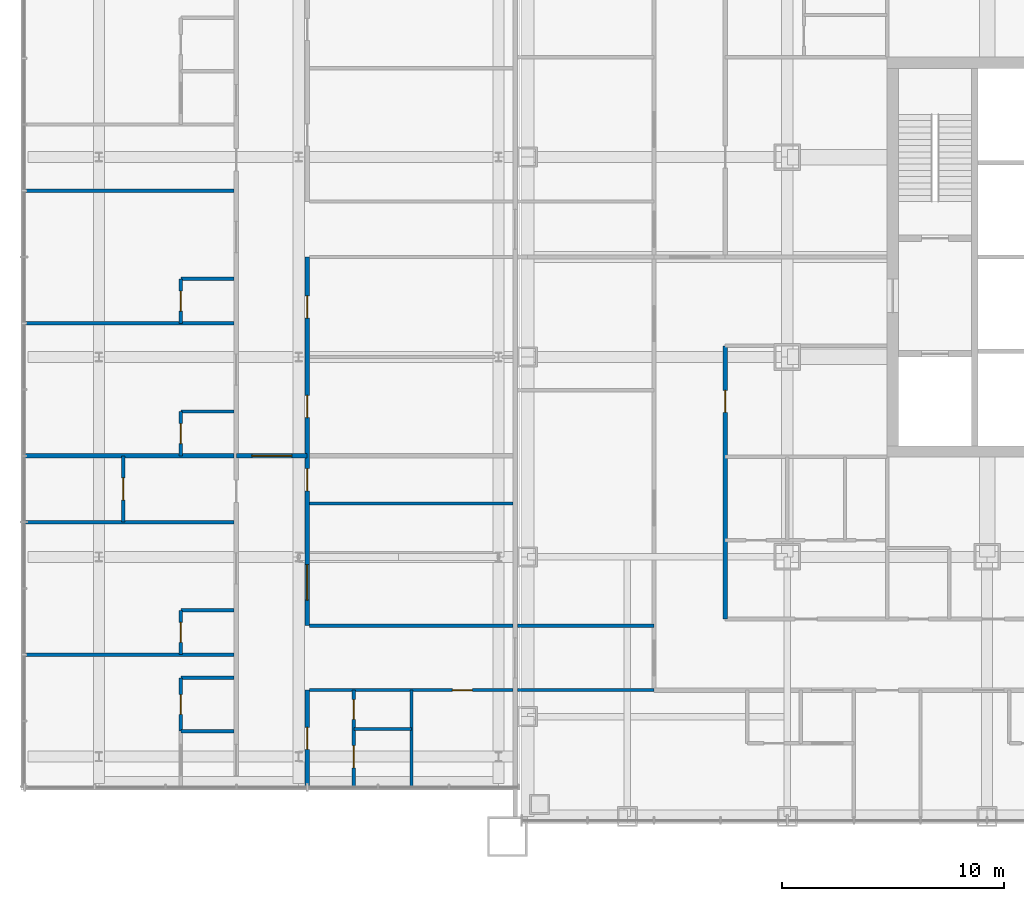
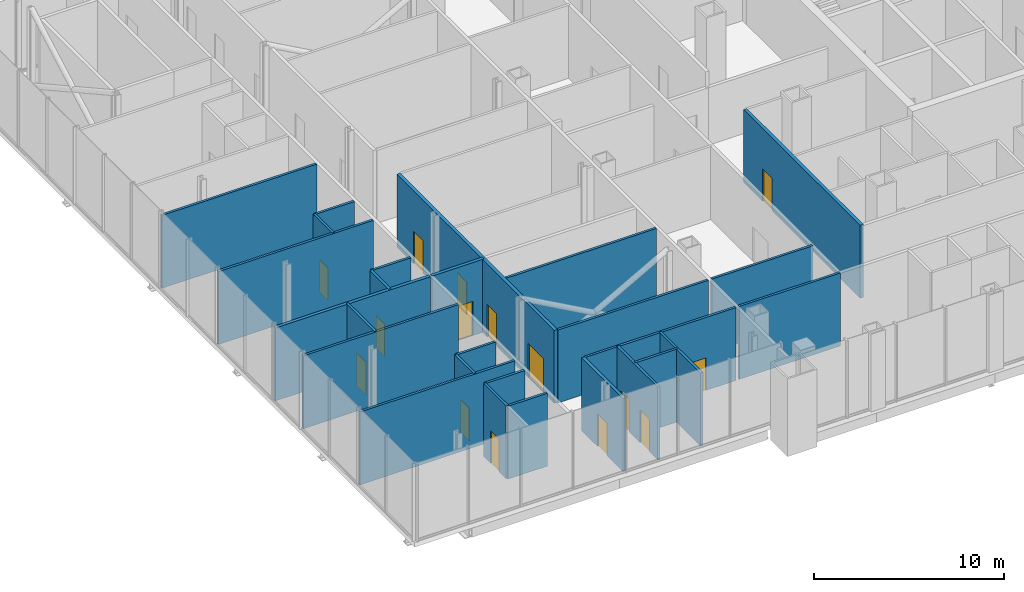
# One storey, part 15 of 28: 27 walls, 15 doors, 15 openings.
"""IFC4 building model written with IfcOpenShell, lengths in metres."""

from ifc_helpers import new_model, si_unit, direction, frame, frame_2d, origin, place, context, subcontext, project, spatial, rectangle, extrude, material, layer, layer_set, type_object, element, fill, save


model = new_model("IFC4")

# Units and contexts
model_context = context("Model", 3, precision=1e-05, world=origin(), true_north=direction((0.0, 1.0)))
body_context = subcontext(model_context, "Body", "Model", "MODEL_VIEW")
ifc_project = project(units=[si_unit("LENGTHUNIT", "METRE"), si_unit("AREAUNIT", "SQUARE_METRE"), si_unit("VOLUMEUNIT", "CUBIC_METRE"), si_unit("PLANEANGLEUNIT", "RADIAN"), si_unit("MASSUNIT", "GRAM", prefix="KILO")], contexts=[model_context])

# Site, building, storey
site_placement = place(None, origin())
site = spatial("IfcSite", under=ifc_project, at=site_placement, CompositionType="ELEMENT")
building_placement = place(site_placement, origin())
building = spatial("IfcBuilding", under=site, at=building_placement, Name="Malebo Sky Hospital", CompositionType="ELEMENT")
storey_placement = place(building_placement, frame((0.0, 0.0, 21.0)))
storey = spatial("IfcBuildingStorey", under=building, at=storey_placement, Name="L04", CompositionType="ELEMENT", Elevation=21.0)

# Wall, opening, door
ifc_material_1 = material(Name="Gypsum board on steel studs", Category="steel")
ifc_layer_1 = layer(ifc_material_1, 0.199951171875)
ifc_layer_set_1 = layer_set([ifc_layer_1], Name="CORRIDOR WALL 200")
wall_type_1 = type_object("IfcWallType", Name="CORRIDOR WALL 200", PredefinedType="PARTITIONING", material=ifc_layer_set_1)
wall_1_placement = place(storey_placement, frame((43.699951171875, 45.699951171875, 0.0), z_axis=(0.0, 0.0, 1.0), x_axis=(0.0, 1.0, 0.0)))
wall_1 = element("IfcWall", 1, at=wall_1_placement, inside=storey, type_object=wall_type_1, Name="Corridor Wall 200 WCI1", PredefinedType="PARTITIONING", context=body_context, shape_type="SweptSolid", body=[
    extrude(rectangle(XDim=12.300048828125, YDim=0.199951171875, at=frame_2d((6.14990234375, 0.0))), origin(), (0.0, 0.0, 1.0), 4.699951171875),
])
opening_1_placement = place(wall_1_placement, frame((9.300048828125, 0.0, 0.0)))
opening_1 = element("IfcOpeningElement", 2, at=opening_1_placement, cuts=wall_1, Name="Opening D03", PredefinedType="OPENING", context=body_context, shape_type="SweptSolid", body=[
    extrude(rectangle(XDim=1.0, YDim=2.10009765625, at=frame_2d((0.5, 1.050048828125))), frame((0.0, 0.10986328125, 0.0), z_axis=(0.0, -1.0, 0.0), x_axis=(1.0, 0.0, 0.0)), (0.0, 0.0, 1.0), 0.219970703125),
])
ifc_material_2 = material(Name="Hardwood-faced door leaf in steel frame", Category="steel")
door_type_1 = type_object("IfcDoorType", Name="ROOM DOOR 1000", OperationType="SINGLE_SWING_LEFT", PredefinedType="DOOR", material=ifc_material_2)
door_1_placement = place(opening_1_placement, origin())
door_1 = element("IfcDoor", 3, at=door_1_placement, inside=storey, type_object=door_type_1, Name="ICU staff base door", OperationType="SINGLE_SWING_LEFT", OverallHeight=2.10009765625, OverallWidth=1.0, PredefinedType="DOOR", context=body_context, shape_type="SweptSolid", body=[
    extrude(rectangle(XDim=1.0, YDim=2.10009765625, at=frame_2d((0.5, 1.050048828125))), frame((0.0, 0.02490234375, 0.0), z_axis=(0.0, -1.0, 0.0), x_axis=(1.0, 0.0, 0.0)), (0.0, 0.0, 1.0), 0.050048828125),
])
fill(opening_1, door_1)

wall_2_placement = place(storey_placement, frame((24.882080078125, 38.14990234375, 0.0), z_axis=(0.0, 0.0, 1.0), x_axis=(0.0, 1.0, 0.0)))
wall_2 = element("IfcWall", 4, at=wall_2_placement, inside=storey, type_object=wall_type_1, Name="Corridor Wall 200 WWC2A", PredefinedType="PARTITIONING", context=body_context, shape_type="SweptSolid", body=[
    extrude(rectangle(XDim=4.35009765625, YDim=0.199951171875, at=frame_2d((2.175048828125, 0.0))), origin(), (0.0, 0.0, 1.0), 4.699951171875),
])
opening_2_placement = place(wall_2_placement, frame((1.675048828125, 0.0, 0.0)))
opening_2 = element("IfcOpeningElement", 5, at=opening_2_placement, cuts=wall_2, Name="Opening D03", PredefinedType="OPENING", context=body_context, shape_type="SweptSolid", body=[
    extrude(rectangle(XDim=1.0, YDim=2.10009765625, at=frame_2d((0.5, 1.050048828125))), frame((0.0, 0.10986328125, 0.0), z_axis=(0.0, -1.0, 0.0), x_axis=(1.0, 0.0, 0.0)), (0.0, 0.0, 1.0), 0.219970703125),
])
door_2_placement = place(opening_2_placement, origin())
door_2 = element("IfcDoor", 6, at=door_2_placement, inside=storey, type_object=door_type_1, Name="WC vestibule door", OperationType="SINGLE_SWING_RIGHT", OverallHeight=2.10009765625, OverallWidth=1.0, PredefinedType="DOOR", context=body_context, shape_type="SweptSolid", body=[
    extrude(rectangle(XDim=1.0, YDim=2.10009765625, at=frame_2d((0.5, 1.050048828125))), frame((0.0, 0.02490234375, 0.0), z_axis=(0.0, -1.0, 0.0), x_axis=(1.0, 0.0, 0.0)), (0.0, 0.0, 1.0), 0.050048828125),
])
fill(opening_2, door_2)

# Wall, openings, doors
wall_3_placement = place(storey_placement, frame((24.882080078125, 45.39990234375, 0.0), z_axis=(0.0, 0.0, 1.0), x_axis=(0.0, 1.0, 0.0)))
wall_3 = element("IfcWall", 7, at=wall_3_placement, inside=storey, type_object=wall_type_1, Name="Corridor Wall 200 WWC2B", PredefinedType="PARTITIONING", context=body_context, shape_type="SweptSolid", body=[
    extrude(rectangle(XDim=16.60009765625, YDim=0.199951171875, at=frame_2d((8.300048828125, 0.0))), origin(), (0.0, 0.0, 1.0), 4.699951171875),
])
opening_3_placement = place(wall_3_placement, frame((1.14990234375, 0.0, 0.0)))
opening_3 = element("IfcOpeningElement", 8, at=opening_3_placement, cuts=wall_3, Name="Opening D14", PredefinedType="OPENING", context=body_context, shape_type="SweptSolid", body=[
    extrude(rectangle(XDim=1.60009765625, YDim=2.199951171875, at=frame_2d((0.800048828125, 1.10009765625))), frame((0.0, 0.10986328125, 0.0), z_axis=(0.0, -1.0, 0.0), x_axis=(1.0, 0.0, 0.0)), (0.0, 0.0, 1.0), 0.219970703125),
])
opening_4_placement = place(wall_3_placement, frame((6.073486328125, 0.0, 0.0)))
opening_4 = element("IfcOpeningElement", 9, at=opening_4_placement, cuts=wall_3, Name="Opening D03", PredefinedType="OPENING", context=body_context, shape_type="SweptSolid", body=[
    extrude(rectangle(XDim=1.0, YDim=2.10009765625, at=frame_2d((0.5, 1.050048828125))), frame((0.0, 0.10986328125, 0.0), z_axis=(0.0, -1.0, 0.0), x_axis=(1.0, 0.0, 0.0)), (0.0, 0.0, 1.0), 0.219970703125),
])
opening_5_placement = place(wall_3_placement, frame((9.37353515625, 0.0, 0.0)))
opening_5 = element("IfcOpeningElement", 10, at=opening_5_placement, cuts=wall_3, Name="Opening D03", PredefinedType="OPENING", context=body_context, shape_type="SweptSolid", body=[
    extrude(rectangle(XDim=1.0, YDim=2.10009765625, at=frame_2d((0.5, 1.050048828125))), frame((0.0, 0.10986328125, 0.0), z_axis=(0.0, -1.0, 0.0), x_axis=(1.0, 0.0, 0.0)), (0.0, 0.0, 1.0), 0.219970703125),
])
opening_6_placement = place(wall_3_placement, frame((13.85009765625, 0.0, 0.0)))
opening_6 = element("IfcOpeningElement", 11, at=opening_6_placement, cuts=wall_3, Name="Opening D03", PredefinedType="OPENING", context=body_context, shape_type="SweptSolid", body=[
    extrude(rectangle(XDim=1.0, YDim=2.10009765625, at=frame_2d((0.5, 1.050048828125))), frame((0.0, 0.10986328125, 0.0), z_axis=(0.0, -1.0, 0.0), x_axis=(1.0, 0.0, 0.0)), (0.0, 0.0, 1.0), 0.219970703125),
])
door_type_2 = type_object("IfcDoorType", Name="DEPARTMENT DOOR PAIR 1600", OperationType="DOUBLE_DOOR_DOUBLE_SWING", PredefinedType="DOOR", material=ifc_material_2)
door_3_placement = place(opening_3_placement, origin())
door_3 = element("IfcDoor", 12, at=door_3_placement, inside=storey, type_object=door_type_2, Name="ICU equipment store door", OperationType="DOUBLE_DOOR_DOUBLE_SWING", OverallHeight=2.199951171875, OverallWidth=1.60009765625, PredefinedType="DOOR", context=body_context, shape_type="SweptSolid", body=[
    extrude(rectangle(XDim=1.60009765625, YDim=2.199951171875, at=frame_2d((0.800048828125, 1.10009765625))), frame((0.0, 0.02490234375, 0.0), z_axis=(0.0, -1.0, 0.0), x_axis=(1.0, 0.0, 0.0)), (0.0, 0.0, 1.0), 0.050048828125),
])
fill(opening_3, door_3)
door_4_placement = place(opening_4_placement, origin())
door_4 = element("IfcDoor", 13, at=door_4_placement, inside=storey, type_object=door_type_1, Name="Clean utility room door", OperationType="SINGLE_SWING_RIGHT", OverallHeight=2.10009765625, OverallWidth=1.0, PredefinedType="DOOR", context=body_context, shape_type="SweptSolid", body=[
    extrude(rectangle(XDim=1.0, YDim=2.10009765625, at=frame_2d((0.5, 1.050048828125))), frame((0.0, 0.02490234375, 0.0), z_axis=(0.0, -1.0, 0.0), x_axis=(1.0, 0.0, 0.0)), (0.0, 0.0, 1.0), 0.050048828125),
])
fill(opening_4, door_4)
door_5_placement = place(opening_5_placement, origin())
door_5 = element("IfcDoor", 14, at=door_5_placement, inside=storey, type_object=door_type_1, Name="Medication room door", OperationType="SINGLE_SWING_LEFT", OverallHeight=2.10009765625, OverallWidth=1.0, PredefinedType="DOOR", context=body_context, shape_type="SweptSolid", body=[
    extrude(rectangle(XDim=1.0, YDim=2.10009765625, at=frame_2d((0.5, 1.050048828125))), frame((0.0, 0.02490234375, 0.0), z_axis=(0.0, -1.0, 0.0), x_axis=(1.0, 0.0, 0.0)), (0.0, 0.0, 1.0), 0.050048828125),
])
fill(opening_5, door_5)
door_6_placement = place(opening_6_placement, origin())
door_6 = element("IfcDoor", 15, at=door_6_placement, inside=storey, type_object=door_type_1, Name="ICU staff base door", OperationType="SINGLE_SWING_LEFT", OverallHeight=2.10009765625, OverallWidth=1.0, PredefinedType="DOOR", context=body_context, shape_type="SweptSolid", body=[
    extrude(rectangle(XDim=1.0, YDim=2.10009765625, at=frame_2d((0.5, 1.050048828125))), frame((0.0, 0.02490234375, 0.0), z_axis=(0.0, -1.0, 0.0), x_axis=(1.0, 0.0, 0.0)), (0.0, 0.0, 1.0), 0.050048828125),
])
fill(opening_6, door_6)

# Walls
ifc_layer_2 = layer(ifc_material_1, 0.14990234375)
ifc_layer_set_2 = layer_set([ifc_layer_2], Name="PARTITION 150")
wall_type_2 = type_object("IfcWallType", Name="PARTITION 150", PredefinedType="PARTITIONING", material=ifc_layer_set_2)
for number, where, z_axis, x_axis, name in (
    (16, (40.5, 42.5, 0.0), (0.0, 0.0, 1.0), (-1.0, 0.0, 0.0), "Partition 150 WP-19.5"),
    (17, (40.5, 45.39990234375, 0.0), (0.0, 0.0, 1.0), (-1.0, 0.0, 0.0), "Partition 150 WP-16.6"),
):
    element("IfcWall", number, at=place(storey_placement, frame(where, z_axis=z_axis, x_axis=x_axis)), inside=storey, type_object=wall_type_2, Name=name, PredefinedType="PARTITIONING", context=body_context, shape_type="SweptSolid", body=[
        extrude(rectangle(XDim=6.14990234375, YDim=0.14990234375, at=frame_2d((3.074951171875, 0.0))), origin(), (0.0, 0.0, 1.0), 4.699951171875),
    ])
for number, where, z_axis, x_axis, name in (
    (18, (12.14990234375, 44.09375, 0.0), (0.0, 0.0, 1.0), (1.0, 0.0, 0.0), "Partition 150 WOH00"),
    (19, (12.14990234375, 50.0625, 0.0), (0.0, 0.0, 1.0), (1.0, 0.0, 0.0), "Partition 150 WOH01"),
    (20, (12.14990234375, 59.015625, 0.0), (0.0, 0.0, 1.0), (1.0, 0.0, 0.0), "Partition 150 WOH03"),
    (21, (12.14990234375, 64.984375, 0.0), (0.0, 0.0, 1.0), (1.0, 0.0, 0.0), "Partition 150 WOH04"),
):
    element("IfcWall", number, at=place(storey_placement, frame(where, z_axis=z_axis, x_axis=x_axis)), inside=storey, type_object=wall_type_2, Name=name, PredefinedType="PARTITIONING", context=body_context, shape_type="SweptSolid", body=[
        extrude(rectangle(XDim=9.443115234375, YDim=0.14990234375, at=frame_2d((4.7216796875, 0.0))), origin(), (0.0, 0.0, 1.0), 4.699951171875),
    ])

# Wall, opening, door
wall_4_placement = place(storey_placement, frame((16.593017578125, 50.0625, 0.0), z_axis=(0.0, 0.0, 1.0), x_axis=(0.0, 1.0, 0.0)))
wall_4 = element("IfcWall", 22, at=wall_4_placement, inside=storey, type_object=wall_type_2, Name="Partition 150 WOV06", PredefinedType="PARTITIONING", context=body_context, shape_type="SweptSolid", body=[
    extrude(rectangle(XDim=2.984375, YDim=0.14990234375, at=frame_2d((1.4921875, 0.0))), origin(), (0.0, 0.0, 1.0), 4.699951171875),
])
opening_7_placement = place(wall_4_placement, frame((0.9921875, 0.0, 0.0)))
opening_7 = element("IfcOpeningElement", 23, at=opening_7_placement, cuts=wall_4, Name="Opening D03", PredefinedType="OPENING", context=body_context, shape_type="SweptSolid", body=[
    extrude(rectangle(XDim=1.0, YDim=2.10009765625, at=frame_2d((0.5, 1.050048828125))), frame((0.0, 0.0849609375, 0.0), z_axis=(0.0, -1.0, 0.0), x_axis=(1.0, 0.0, 0.0)), (0.0, 0.0, 1.0), 0.169921875),
])
door_7_placement = place(opening_7_placement, origin())
door_7 = element("IfcDoor", 24, at=door_7_placement, inside=storey, type_object=door_type_1, Name="ICU clean utility room inner door", OperationType="SINGLE_SWING_RIGHT", OverallHeight=2.10009765625, OverallWidth=1.0, PredefinedType="DOOR", context=body_context, shape_type="SweptSolid", body=[
    extrude(rectangle(XDim=1.0, YDim=2.10009765625, at=frame_2d((0.5, 1.050048828125))), frame((0.0, 0.02490234375, 0.0), z_axis=(0.0, -1.0, 0.0), x_axis=(1.0, 0.0, 0.0)), (0.0, 0.0, 1.0), 0.050048828125),
])
fill(opening_7, door_7)

wall_5_placement = place(storey_placement, frame((19.193115234375, 40.64990234375, 0.0), z_axis=(0.0, 0.0, 1.0), x_axis=(0.0, 1.0, 0.0)))
wall_5 = element("IfcWall", 25, at=wall_5_placement, inside=storey, type_object=wall_type_2, Name="Partition 150 WOX01F", PredefinedType="PARTITIONING", context=body_context, shape_type="SweptSolid", body=[
    extrude(rectangle(XDim=2.400146484375, YDim=0.14990234375, at=frame_2d((1.2001953125, 0.0))), origin(), (0.0, 0.0, 1.0), 4.699951171875),
])
opening_8_placement = place(wall_5_placement, frame((0.75, 0.0, 0.0)))
opening_8 = element("IfcOpeningElement", 26, at=opening_8_placement, cuts=wall_5, Name="Opening D02", PredefinedType="OPENING", context=body_context, shape_type="SweptSolid", body=[
    extrude(rectangle(XDim=0.89990234375, YDim=2.10009765625, at=frame_2d((0.449951171875, 1.050048828125))), frame((0.0, 0.0849609375, 0.0), z_axis=(0.0, -1.0, 0.0), x_axis=(1.0, 0.0, 0.0)), (0.0, 0.0, 1.0), 0.169921875),
])
door_type_3 = type_object("IfcDoorType", Name="EN-SUITE DOOR 900", OperationType="SINGLE_SWING_LEFT", PredefinedType="DOOR", material=ifc_material_2)
door_8_placement = place(opening_8_placement, origin())
door_8 = element("IfcDoor", 27, at=door_8_placement, inside=storey, type_object=door_type_3, Name="En-suite door", OperationType="SINGLE_SWING_LEFT", OverallHeight=2.10009765625, OverallWidth=0.89990234375, PredefinedType="DOOR", context=body_context, shape_type="SweptSolid", body=[
    extrude(rectangle(XDim=0.89990234375, YDim=2.10009765625, at=frame_2d((0.449951171875, 1.050048828125))), frame((0.0, 0.02490234375, 0.0), z_axis=(0.0, -1.0, 0.0), x_axis=(1.0, 0.0, 0.0)), (0.0, 0.0, 1.0), 0.050048828125),
])
fill(opening_8, door_8)

# Wall
wall_6_placement = place(storey_placement, frame((21.593017578125, 43.050048828125, 0.0), z_axis=(0.0, 0.0, 1.0), x_axis=(-1.0, 0.0, 0.0)))
element("IfcWall", 28, at=wall_6_placement, inside=storey, type_object=wall_type_2, Name="Partition 150 WOX01S", PredefinedType="PARTITIONING", context=body_context, shape_type="SweptSolid", body=[
    extrude(rectangle(XDim=2.39990234375, YDim=0.14990234375, at=frame_2d((1.199951171875, 0.0))), origin(), (0.0, 0.0, 1.0), 4.699951171875),
])

# Wall, opening, door
wall_7_placement = place(storey_placement, frame((19.193115234375, 44.09375, 0.0), z_axis=(0.0, 0.0, 1.0), x_axis=(0.0, 1.0, 0.0)))
wall_7 = element("IfcWall", 29, at=wall_7_placement, inside=storey, type_object=wall_type_2, Name="Partition 150 WOX02F", PredefinedType="PARTITIONING", context=body_context, shape_type="SweptSolid", body=[
    extrude(rectangle(XDim=2.0, YDim=0.14990234375, at=frame_2d((1.0, 0.0))), origin(), (0.0, 0.0, 1.0), 4.699951171875),
])
opening_9_placement = place(wall_7_placement, frame((0.550048828125, 0.0, 0.0)))
opening_9 = element("IfcOpeningElement", 30, at=opening_9_placement, cuts=wall_7, Name="Opening D02", PredefinedType="OPENING", context=body_context, shape_type="SweptSolid", body=[
    extrude(rectangle(XDim=0.89990234375, YDim=2.10009765625, at=frame_2d((0.449951171875, 1.050048828125))), frame((0.0, 0.0849609375, 0.0), z_axis=(0.0, -1.0, 0.0), x_axis=(1.0, 0.0, 0.0)), (0.0, 0.0, 1.0), 0.169921875),
])
door_9_placement = place(opening_9_placement, origin())
door_9 = element("IfcDoor", 31, at=door_9_placement, inside=storey, type_object=door_type_3, Name="En-suite door", OperationType="SINGLE_SWING_LEFT", OverallHeight=2.10009765625, OverallWidth=0.89990234375, PredefinedType="DOOR", context=body_context, shape_type="SweptSolid", body=[
    extrude(rectangle(XDim=0.89990234375, YDim=2.10009765625, at=frame_2d((0.449951171875, 1.050048828125))), frame((0.0, 0.02490234375, 0.0), z_axis=(0.0, -1.0, 0.0), x_axis=(1.0, 0.0, 0.0)), (0.0, 0.0, 1.0), 0.050048828125),
])
fill(opening_9, door_9)

# Wall
wall_8_placement = place(storey_placement, frame((21.593017578125, 46.09375, 0.0), z_axis=(0.0, 0.0, 1.0), x_axis=(-1.0, 0.0, 0.0)))
element("IfcWall", 32, at=wall_8_placement, inside=storey, type_object=wall_type_2, Name="Partition 150 WOX02S", PredefinedType="PARTITIONING", context=body_context, shape_type="SweptSolid", body=[
    extrude(rectangle(XDim=2.39990234375, YDim=0.14990234375, at=frame_2d((1.199951171875, 0.0))), origin(), (0.0, 0.0, 1.0), 4.699951171875),
])

# Wall, opening, door
wall_9_placement = place(storey_placement, frame((19.193115234375, 53.046875, 0.0), z_axis=(0.0, 0.0, 1.0), x_axis=(0.0, 1.0, 0.0)))
wall_9 = element("IfcWall", 33, at=wall_9_placement, inside=storey, type_object=wall_type_2, Name="Partition 150 WOX03F", PredefinedType="PARTITIONING", context=body_context, shape_type="SweptSolid", body=[
    extrude(rectangle(XDim=2.0, YDim=0.14990234375, at=frame_2d((1.0, 0.0))), origin(), (0.0, 0.0, 1.0), 4.699951171875),
])
opening_10_placement = place(wall_9_placement, frame((0.550048828125, 0.0, 0.0)))
opening_10 = element("IfcOpeningElement", 34, at=opening_10_placement, cuts=wall_9, Name="Opening D02", PredefinedType="OPENING", context=body_context, shape_type="SweptSolid", body=[
    extrude(rectangle(XDim=0.89990234375, YDim=2.10009765625, at=frame_2d((0.449951171875, 1.050048828125))), frame((0.0, 0.0849609375, 0.0), z_axis=(0.0, -1.0, 0.0), x_axis=(1.0, 0.0, 0.0)), (0.0, 0.0, 1.0), 0.169921875),
])
door_10_placement = place(opening_10_placement, origin())
door_10 = element("IfcDoor", 35, at=door_10_placement, inside=storey, type_object=door_type_3, Name="En-suite door", OperationType="SINGLE_SWING_LEFT", OverallHeight=2.10009765625, OverallWidth=0.89990234375, PredefinedType="DOOR", context=body_context, shape_type="SweptSolid", body=[
    extrude(rectangle(XDim=0.89990234375, YDim=2.10009765625, at=frame_2d((0.449951171875, 1.050048828125))), frame((0.0, 0.02490234375, 0.0), z_axis=(0.0, -1.0, 0.0), x_axis=(1.0, 0.0, 0.0)), (0.0, 0.0, 1.0), 0.050048828125),
])
fill(opening_10, door_10)

# Wall
wall_10_placement = place(storey_placement, frame((21.593017578125, 55.046875, 0.0), z_axis=(0.0, 0.0, 1.0), x_axis=(-1.0, 0.0, 0.0)))
element("IfcWall", 36, at=wall_10_placement, inside=storey, type_object=wall_type_2, Name="Partition 150 WOX03S", PredefinedType="PARTITIONING", context=body_context, shape_type="SweptSolid", body=[
    extrude(rectangle(XDim=2.39990234375, YDim=0.14990234375, at=frame_2d((1.199951171875, 0.0))), origin(), (0.0, 0.0, 1.0), 4.699951171875),
])

# Wall, opening, door
wall_11_placement = place(storey_placement, frame((19.193115234375, 59.015625, 0.0), z_axis=(0.0, 0.0, 1.0), x_axis=(0.0, 1.0, 0.0)))
wall_11 = element("IfcWall", 37, at=wall_11_placement, inside=storey, type_object=wall_type_2, Name="Partition 150 WOX04F", PredefinedType="PARTITIONING", context=body_context, shape_type="SweptSolid", body=[
    extrude(rectangle(XDim=2.0, YDim=0.14990234375, at=frame_2d((1.0, 0.0))), origin(), (0.0, 0.0, 1.0), 4.699951171875),
])
opening_11_placement = place(wall_11_placement, frame((0.550048828125, 0.0, 0.0)))
opening_11 = element("IfcOpeningElement", 38, at=opening_11_placement, cuts=wall_11, Name="Opening D02", PredefinedType="OPENING", context=body_context, shape_type="SweptSolid", body=[
    extrude(rectangle(XDim=0.89990234375, YDim=2.10009765625, at=frame_2d((0.449951171875, 1.050048828125))), frame((0.0, 0.0849609375, 0.0), z_axis=(0.0, -1.0, 0.0), x_axis=(1.0, 0.0, 0.0)), (0.0, 0.0, 1.0), 0.169921875),
])
door_11_placement = place(opening_11_placement, origin())
door_11 = element("IfcDoor", 39, at=door_11_placement, inside=storey, type_object=door_type_3, Name="En-suite door", OperationType="SINGLE_SWING_LEFT", OverallHeight=2.10009765625, OverallWidth=0.89990234375, PredefinedType="DOOR", context=body_context, shape_type="SweptSolid", body=[
    extrude(rectangle(XDim=0.89990234375, YDim=2.10009765625, at=frame_2d((0.449951171875, 1.050048828125))), frame((0.0, 0.02490234375, 0.0), z_axis=(0.0, -1.0, 0.0), x_axis=(1.0, 0.0, 0.0)), (0.0, 0.0, 1.0), 0.050048828125),
])
fill(opening_11, door_11)

# Walls
wall_12_placement = place(storey_placement, frame((21.593017578125, 61.015625, 0.0), z_axis=(0.0, 0.0, 1.0), x_axis=(-1.0, 0.0, 0.0)))
element("IfcWall", 40, at=wall_12_placement, inside=storey, type_object=wall_type_2, Name="Partition 150 WOX04S", PredefinedType="PARTITIONING", context=body_context, shape_type="SweptSolid", body=[
    extrude(rectangle(XDim=2.39990234375, YDim=0.14990234375, at=frame_2d((1.199951171875, 0.0))), origin(), (0.0, 0.0, 1.0), 4.699951171875),
])
wall_13_placement = place(storey_placement, frame((26.98193359375, 40.75, 0.0), z_axis=(0.0, 0.0, 1.0), x_axis=(1.0, 0.0, 0.0)))
element("IfcWall", 41, at=wall_13_placement, inside=storey, type_object=wall_type_2, Name="Partition 150 WIH00", PredefinedType="PARTITIONING", context=body_context, shape_type="SweptSolid", body=[
    extrude(rectangle(XDim=2.60009765625, YDim=0.14990234375, at=frame_2d((1.300048828125, 0.0))), origin(), (0.0, 0.0, 1.0), 4.699951171875),
])

# Wall, opening, door
wall_14_placement = place(storey_placement, frame((24.98193359375, 42.5, 0.0), z_axis=(0.0, 0.0, 1.0), x_axis=(1.0, 0.0, 0.0)))
wall_14 = element("IfcWall", 42, at=wall_14_placement, inside=storey, type_object=wall_type_2, Name="Partition 150 WIH01", PredefinedType="PARTITIONING", context=body_context, shape_type="SweptSolid", body=[
    extrude(rectangle(XDim=9.16796875, YDim=0.14990234375, at=frame_2d((4.583984375, 0.0))), origin(), (0.0, 0.0, 1.0), 4.699951171875),
])
opening_12_placement = place(wall_14_placement, frame((6.43408203125, 0.0, 0.0)))
opening_12 = element("IfcOpeningElement", 43, at=opening_12_placement, cuts=wall_14, Name="Opening D04", PredefinedType="OPENING", context=body_context, shape_type="SweptSolid", body=[
    extrude(rectangle(XDim=0.89990234375, YDim=2.10009765625, at=frame_2d((0.449951171875, 1.050048828125))), frame((0.0, 0.0849609375, 0.0), z_axis=(0.0, -1.0, 0.0), x_axis=(1.0, 0.0, 0.0)), (0.0, 0.0, 1.0), 0.169921875),
])
door_type_4 = type_object("IfcDoorType", Name="ROOM DOOR 900", OperationType="SINGLE_SWING_LEFT", PredefinedType="DOOR", material=ifc_material_2)
door_12_placement = place(opening_12_placement, origin())
door_12 = element("IfcDoor", 44, at=door_12_placement, inside=storey, type_object=door_type_4, Name="Cleaner's room inner door", OperationType="SINGLE_SWING_LEFT", OverallHeight=2.10009765625, OverallWidth=0.89990234375, PredefinedType="DOOR", context=body_context, shape_type="SweptSolid", body=[
    extrude(rectangle(XDim=0.89990234375, YDim=2.10009765625, at=frame_2d((0.449951171875, 1.050048828125))), frame((0.0, 0.02490234375, 0.0), z_axis=(0.0, -1.0, 0.0), x_axis=(1.0, 0.0, 0.0)), (0.0, 0.0, 1.0), 0.050048828125),
])
fill(opening_12, door_12)

# Walls
for number, where, z_axis, x_axis, name in (
    (45, (24.98193359375, 45.39990234375, 0.0), (0.0, 0.0, 1.0), (1.0, 0.0, 0.0), "Partition 150 WIH02"),
    (46, (24.98193359375, 50.89990234375, 0.0), (0.0, 0.0, 1.0), (1.0, 0.0, 0.0), "Partition 150 WIH03"),
):
    element("IfcWall", number, at=place(storey_placement, frame(where, z_axis=z_axis, x_axis=x_axis)), inside=storey, type_object=wall_type_2, Name=name, PredefinedType="PARTITIONING", context=body_context, shape_type="SweptSolid", body=[
        extrude(rectangle(XDim=9.16796875, YDim=0.14990234375, at=frame_2d((4.583984375, 0.0))), origin(), (0.0, 0.0, 1.0), 4.699951171875),
    ])

# Wall, openings, doors
wall_15_placement = place(storey_placement, frame((26.98193359375, 38.14990234375, 0.0), z_axis=(0.0, 0.0, 1.0), x_axis=(0.0, 1.0, 0.0)))
wall_15 = element("IfcWall", 47, at=wall_15_placement, inside=storey, type_object=wall_type_2, Name="Partition 150 WIV12", PredefinedType="PARTITIONING", context=body_context, shape_type="SweptSolid", body=[
    extrude(rectangle(XDim=4.35009765625, YDim=0.14990234375, at=frame_2d((2.175048828125, 0.0))), origin(), (0.0, 0.0, 1.0), 4.699951171875),
])
opening_13_placement = place(wall_15_placement, frame((0.85009765625, 0.0, 0.0)))
opening_13 = element("IfcOpeningElement", 48, at=opening_13_placement, cuts=wall_15, Name="Opening D03", PredefinedType="OPENING", context=body_context, shape_type="SweptSolid", body=[
    extrude(rectangle(XDim=1.0, YDim=2.10009765625, at=frame_2d((0.5, 1.050048828125))), frame((0.0, 0.0849609375, 0.0), z_axis=(0.0, -1.0, 0.0), x_axis=(1.0, 0.0, 0.0)), (0.0, 0.0, 1.0), 0.169921875),
])
opening_14_placement = place(wall_15_placement, frame((3.02490234375, 0.0, 0.0)))
opening_14 = element("IfcOpeningElement", 49, at=opening_14_placement, cuts=wall_15, Name="Opening D04", PredefinedType="OPENING", context=body_context, shape_type="SweptSolid", body=[
    extrude(rectangle(XDim=0.89990234375, YDim=2.10009765625, at=frame_2d((0.449951171875, 1.050048828125))), frame((0.0, 0.0849609375, 0.0), z_axis=(0.0, -1.0, 0.0), x_axis=(1.0, 0.0, 0.0)), (0.0, 0.0, 1.0), 0.169921875),
])
door_13_placement = place(opening_13_placement, origin())
door_13 = element("IfcDoor", 50, at=door_13_placement, inside=storey, type_object=door_type_1, Name="Accessible WC inner door", OperationType="SINGLE_SWING_RIGHT", OverallHeight=2.10009765625, OverallWidth=1.0, PredefinedType="DOOR", context=body_context, shape_type="SweptSolid", body=[
    extrude(rectangle(XDim=1.0, YDim=2.10009765625, at=frame_2d((0.5, 1.050048828125))), frame((0.0, 0.02490234375, 0.0), z_axis=(0.0, -1.0, 0.0), x_axis=(1.0, 0.0, 0.0)), (0.0, 0.0, 1.0), 0.050048828125),
])
fill(opening_13, door_13)
door_14_placement = place(opening_14_placement, origin())
door_14 = element("IfcDoor", 51, at=door_14_placement, inside=storey, type_object=door_type_4, Name="Staff WC inner door", OperationType="SINGLE_SWING_LEFT", OverallHeight=2.10009765625, OverallWidth=0.89990234375, PredefinedType="DOOR", context=body_context, shape_type="SweptSolid", body=[
    extrude(rectangle(XDim=0.89990234375, YDim=2.10009765625, at=frame_2d((0.449951171875, 1.050048828125))), frame((0.0, 0.02490234375, 0.0), z_axis=(0.0, -1.0, 0.0), x_axis=(1.0, 0.0, 0.0)), (0.0, 0.0, 1.0), 0.050048828125),
])
fill(opening_14, door_14)

# Walls
wall_16_placement = place(storey_placement, frame((29.58203125, 38.14990234375, 0.0), z_axis=(0.0, 0.0, 1.0), x_axis=(0.0, 1.0, 0.0)))
element("IfcWall", 52, at=wall_16_placement, inside=storey, type_object=wall_type_2, Name="Partition 150 WIV13", PredefinedType="PARTITIONING", context=body_context, shape_type="SweptSolid", body=[
    extrude(rectangle(XDim=4.35009765625, YDim=0.14990234375, at=frame_2d((2.175048828125, 0.0))), origin(), (0.0, 0.0, 1.0), 4.699951171875),
])
ifc_material_3 = material(Name="Sealed gypsum board on steel studs, taped to the slab", Category="steel")
ifc_layer_3 = layer(ifc_material_3, 0.14990234375)
ifc_layer_set_3 = layer_set([ifc_layer_3], Name="SEALED ISOLATION PARTITION 150")
wall_type_3 = type_object("IfcWallType", Name="SEALED ISOLATION PARTITION 150", PredefinedType="PARTITIONING", material=ifc_layer_set_3)
wall_17_placement = place(storey_placement, frame((21.593017578125, 40.64990234375, 0.0), z_axis=(0.0, 0.0, 1.0), x_axis=(-1.0, 0.0, 0.0)))
element("IfcWall", 53, at=wall_17_placement, inside=storey, type_object=wall_type_3, Name="Sealed Isolation Partition 150 WOX00S", PredefinedType="PARTITIONING", context=body_context, shape_type="SweptSolid", body=[
    extrude(rectangle(XDim=2.39990234375, YDim=0.14990234375, at=frame_2d((1.199951171875, 0.0))), origin(), (0.0, 0.0, 1.0), 4.699951171875),
])

# Wall, opening, door
ifc_material_4 = material(Name="Concrete blockwork", Category="masonry")
ifc_layer_4 = layer(ifc_material_4, 0.199951171875)
ifc_layer_set_4 = layer_set([ifc_layer_4], Name="SMOKE BARRIER WALL 200")
wall_type_4 = type_object("IfcWallType", Name="SMOKE BARRIER WALL 200", PredefinedType="SOLIDWALL", material=ifc_layer_set_4)
wall_18_placement = place(storey_placement, frame((21.693115234375, 53.046875, 0.0), z_axis=(0.0, 0.0, 1.0), x_axis=(1.0, 0.0, 0.0)))
wall_18 = element("IfcWall", 54, at=wall_18_placement, inside=storey, type_object=wall_type_4, Name="Smoke Barrier Wall 200 WWSB", PredefinedType="SOLIDWALL", context=body_context, shape_type="SweptSolid", body=[
    extrude(rectangle(XDim=3.18896484375, YDim=0.199951171875, at=frame_2d((1.594482421875, 0.0))), origin(), (0.0, 0.0, 1.0), 4.699951171875),
])
opening_15_placement = place(wall_18_placement, frame((0.694580078125, 0.0, 0.0)))
opening_15 = element("IfcOpeningElement", 55, at=opening_15_placement, cuts=wall_18, Name="Opening D05", PredefinedType="OPENING", context=body_context, shape_type="SweptSolid", body=[
    extrude(rectangle(XDim=1.800048828125, YDim=2.199951171875, at=frame_2d((0.89990234375, 1.10009765625))), frame((0.0, 0.10986328125, 0.0), z_axis=(0.0, -1.0, 0.0), x_axis=(1.0, 0.0, 0.0)), (0.0, 0.0, 1.0), 0.219970703125),
])
door_type_5 = type_object("IfcDoorType", Name="SMOKE DOOR PAIR 1800", OperationType="DOUBLE_DOOR_DOUBLE_SWING", PredefinedType="DOOR", material=ifc_material_2)
door_15_placement = place(opening_15_placement, origin())
door_15 = element("IfcDoor", 56, at=door_15_placement, inside=storey, type_object=door_type_5, Name="Smoke compartment door pair", OperationType="DOUBLE_DOOR_DOUBLE_SWING", OverallHeight=2.199951171875, OverallWidth=1.800048828125, PredefinedType="DOOR", context=body_context, shape_type="SweptSolid", body=[
    extrude(rectangle(XDim=1.800048828125, YDim=2.199951171875, at=frame_2d((0.89990234375, 1.10009765625))), frame((0.0, 0.02490234375, 0.0), z_axis=(0.0, -1.0, 0.0), x_axis=(1.0, 0.0, 0.0)), (0.0, 0.0, 1.0), 0.050048828125),
])
fill(opening_15, door_15)

# Wall
wall_19_placement = place(storey_placement, frame((12.14990234375, 53.046875, 0.0), z_axis=(0.0, 0.0, 1.0), x_axis=(1.0, 0.0, 0.0)))
element("IfcWall", 57, at=wall_19_placement, inside=storey, type_object=wall_type_4, Name="Smoke Barrier Wall 200 WOH02", PredefinedType="SOLIDWALL", context=body_context, shape_type="SweptSolid", body=[
    extrude(rectangle(XDim=9.443115234375, YDim=0.199951171875, at=frame_2d((4.7216796875, 0.0))), origin(), (0.0, 0.0, 1.0), 4.699951171875),
])

save(model, "model.ifc")
